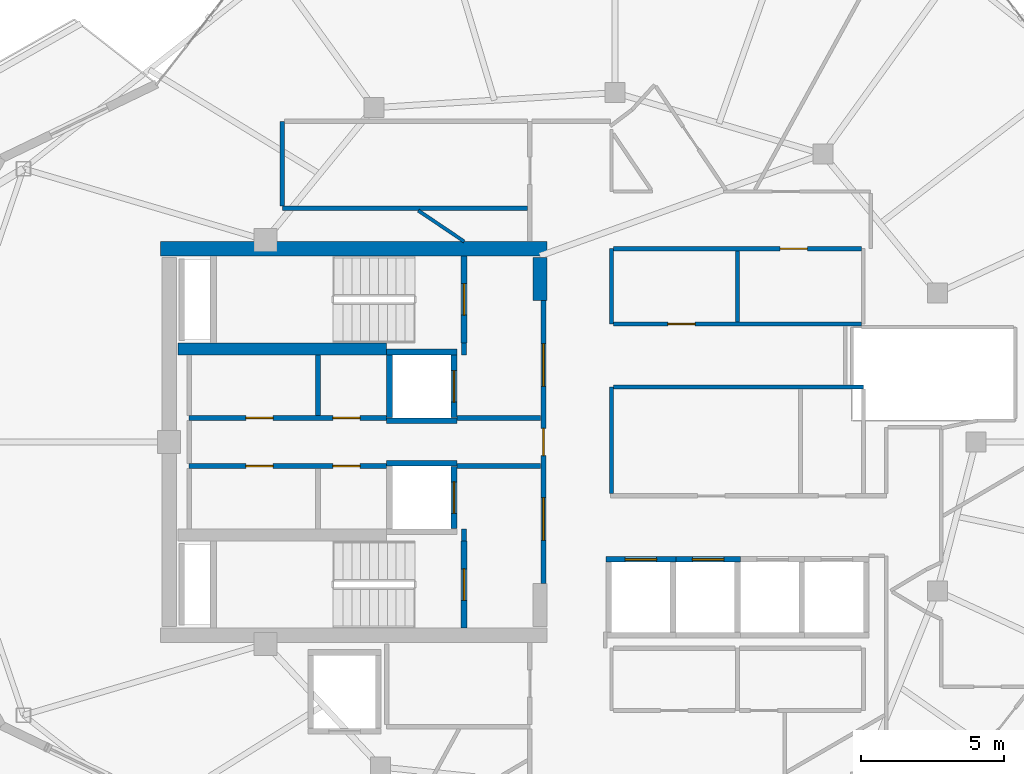
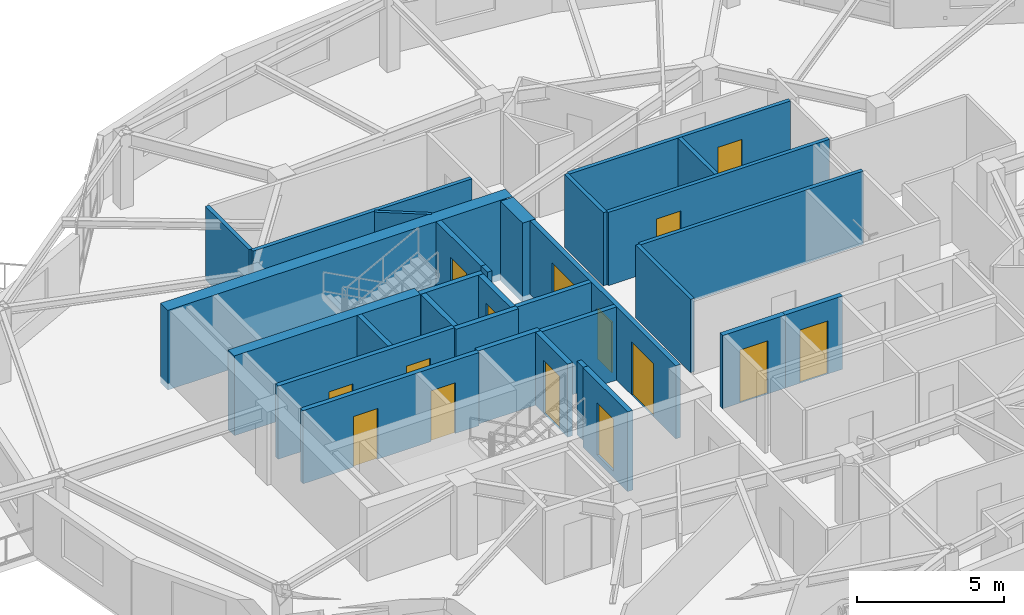
# One storey, part 6 of 12: 30 walls, 15 doors, 15 openings.
"""IFC4 building model written with IfcOpenShell, lengths in metres."""

import ifcopenshell
import ifcopenshell.guid

model = None  # the IFC model being written
_history = None  # IfcOwnerHistory: only IFC2X3 demands one
_inside = {}  # id of a spatial element -> (the spatial element, [elements in it])
_under = {}  # id of a project, library or spatial element -> (it, [spatial elements below it])
_declared = {}  # id of a project -> (the project, [libraries it declares])
_typed = {}  # id of a type object -> (the type object, [elements of that type])
_made_of = {}  # id of a material, layer set ... -> (it, [elements and type objects made of it])


def new_model(schema):
    """Start an empty IFC model of exactly this schema.

    Asked for "IFC4X3", IfcOpenShell would pick the latest addendum, in which some entities
    have other attributes; the version numbers below select the first issue.
    IFC2X3 requires an IfcOwnerHistory on every rooted entity: one is made here for all.
    """
    global model, _history
    if schema == "IFC4X3":
        model = ifcopenshell.file(schema_version=(4, 3, 0, 0))
    else:
        model = ifcopenshell.file(schema=schema)
    _inside.clear()
    _under.clear()
    _declared.clear()
    _typed.clear()
    _made_of.clear()
    _history = None
    if model.schema == "IFC2X3":
        org = make("IfcOrganization", Name="unknown")
        user = make(
            "IfcPersonAndOrganization",
            ThePerson=make("IfcPerson", FamilyName="unknown"),
            TheOrganization=org,
        )
        app = make(
            "IfcApplication",
            ApplicationDeveloper=org,
            Version="unknown",
            ApplicationFullName="unknown",
            ApplicationIdentifier="unknown",
        )
        _history = make(
            "IfcOwnerHistory",
            OwningUser=user,
            OwningApplication=app,
            ChangeAction="ADDED",
            CreationDate=0,
        )
    return model


def make(cls, **values):
    """One entity of the class cls with the attributes given. An attribute that is None is left unset."""
    return model.create_entity(
        cls, **{name: value for name, value in values.items() if value is not None}
    )


def rooted(cls, **values):
    """An entity with a GlobalId (a new one), such as an element, a storey or a relation."""
    return make(cls, GlobalId=ifcopenshell.guid.new(), OwnerHistory=_history, **values)


def si_unit(unit_type, name, prefix=None):
    """IfcSIUnit, for example si_unit("LENGTHUNIT", "METRE", prefix="MILLI")."""
    return make("IfcSIUnit", UnitType=unit_type, Prefix=prefix, Name=name)


def assignment(units):
    """IfcUnitAssignment: the units of a project."""
    return None if units is None else make("IfcUnitAssignment", Units=units)


def point(xyz):
    """IfcCartesianPoint."""
    return None if xyz is None else make("IfcCartesianPoint", Coordinates=xyz)


def direction(xyz):
    """IfcDirection."""
    return None if xyz is None else make("IfcDirection", DirectionRatios=xyz)


def frame(location, z_axis=None, x_axis=None):
    """IfcAxis2Placement3D, a coordinate frame: its origin and axes. An axis left out is left unset."""
    return make(
        "IfcAxis2Placement3D",
        Location=point(location),
        Axis=direction(z_axis),
        RefDirection=direction(x_axis),
    )


def frame_2d(location, x_axis=None):
    """IfcAxis2Placement2D, a coordinate frame in the plane: its origin and x axis."""
    return make(
        "IfcAxis2Placement2D", Location=point(location), RefDirection=direction(x_axis)
    )


def origin():
    """The frame at (0, 0, 0) with its axes left unset."""
    return frame((0.0, 0.0, 0.0))


def place(relative_to, where):
    """IfcLocalPlacement: puts the frame where relative to a parent placement (None: the world)."""
    return make(
        "IfcLocalPlacement", PlacementRelTo=relative_to, RelativePlacement=where
    )


def context(
    kind, dimensions, precision=None, world=None, true_north=None, identifier=None
):
    """IfcGeometricRepresentationContext, for example the 3D "Model" context."""
    return make(
        "IfcGeometricRepresentationContext",
        ContextIdentifier=identifier,
        ContextType=kind,
        CoordinateSpaceDimension=dimensions,
        Precision=precision,
        WorldCoordinateSystem=world,
        TrueNorth=true_north,
    )


def subcontext(parent, identifier, kind, view, scale=None):
    """IfcGeometricRepresentationSubContext, for example "Body" below "Model"."""
    return make(
        "IfcGeometricRepresentationSubContext",
        ContextIdentifier=identifier,
        ContextType=kind,
        ParentContext=parent,
        TargetScale=scale,
        TargetView=view,
    )


def project(units=None, contexts=None):
    """IfcProject with its units and contexts."""
    return rooted(
        "IfcProject",
        Name="project",
        RepresentationContexts=contexts,
        UnitsInContext=assignment(units),
    )


def spatial(cls, under=None, at=None, **own):
    """A site, building, storey or space (cls), placed at a placement, below another one or the project."""
    s = rooted(cls, ObjectPlacement=at, **own)
    if under is not None:
        _under.setdefault(under.id(), (under, []))[1].append(s)
    return s


def profile(cls, at=None, kind="AREA", **sizes):
    """A parametric profile (cls). Its sizes go by their IFC names, for example OverallWidth=200.0."""
    return make(cls, ProfileType=kind, Position=at, **sizes)


def rectangle(**sizes):
    """IfcRectangleProfileDef."""
    return profile("IfcRectangleProfileDef", **sizes)


def extrude(swept, where, along, depth):
    """IfcExtrudedAreaSolid: the profile swept, set in the frame where, extruded along a direction by depth."""
    return make(
        "IfcExtrudedAreaSolid",
        SweptArea=swept,
        Position=where,
        ExtrudedDirection=direction(along),
        Depth=depth,
    )


def shape(context_of_items, identifier, shape_type, items):
    """IfcShapeRepresentation: the items that make up one representation, for example the "Body"."""
    return make(
        "IfcShapeRepresentation",
        ContextOfItems=context_of_items,
        RepresentationIdentifier=identifier,
        RepresentationType=shape_type,
        Items=items,
    )


def material(Name=None, Category=None):
    """IfcMaterial."""
    return make("IfcMaterial", Name=Name, Category=Category)


def layer(
    of_material, thickness, ventilated=None, Name=None, Category=None, Priority=None
):
    """IfcMaterialLayer: one layer of a wall or slab, of a material (None: an air gap)."""
    return make(
        "IfcMaterialLayer",
        Material=of_material,
        LayerThickness=thickness,
        IsVentilated=ventilated,
        Name=Name,
        Category=Category,
        Priority=Priority,
    )


def layer_set(layers, Name=None):
    """IfcMaterialLayerSet."""
    return make("IfcMaterialLayerSet", MaterialLayers=layers, LayerSetName=Name)


def made_of(thing, what):
    """Note that an element or type object is made of a material, layer set ...; save() writes the relation."""
    if what is not None:
        _made_of.setdefault(what.id(), (what, []))[1].append(thing)
    return thing


def type_object(cls, material=None, **own):
    """A type object (cls), such as IfcWallType, which elements share."""
    return made_of(rooted(cls, **own), material)


def element(
    cls,
    number,
    at=None,
    inside=None,
    cuts=None,
    type_object=None,
    material=None,
    context=None,
    identifier="Body",
    shape_type=None,
    held_by="IfcProductDefinitionShape",
    body=None,
    shapes=None,
    **own,
):
    """One element of the class cls, such as IfcWall. Its Tag is "e" and its number.

    at: its placement. inside: the storey or other place that contains it. cuts: it is an
    opening in that element (IfcRelVoidsElement). A single representation is given by context,
    identifier, shape_type and body (its items); several are given by shapes. held_by: the class
    of the entity that holds the representations. save() writes the other relations.
    """
    e = rooted(cls, Tag="e%d" % number, ObjectPlacement=at, **own)
    if body is not None:
        shapes = [shape(context, identifier, shape_type, body)]
    if shapes is not None:
        e.Representation = make(held_by, Representations=shapes)
    if inside is not None:
        _inside.setdefault(inside.id(), (inside, []))[1].append(e)
    if cuts is not None:
        rooted(
            "IfcRelVoidsElement", RelatingBuildingElement=cuts, RelatedOpeningElement=e
        )
    if type_object is not None:
        _typed.setdefault(type_object.id(), (type_object, []))[1].append(e)
    return made_of(e, material)


def fill(opening, filler):
    """IfcRelFillsElement: the door or window that sits in an opening."""
    return rooted(
        "IfcRelFillsElement",
        RelatingOpeningElement=opening,
        RelatedBuildingElement=filler,
    )


def aggregate(whole, parts):
    """IfcRelAggregates: a whole, such as a stair, and the parts it consists of."""
    return rooted("IfcRelAggregates", RelatingObject=whole, RelatedObjects=parts)


def save(model, path):
    """Write the relations noted so far, then the file.

    IfcRelAggregates (storeys below a building ...), IfcRelContainedInSpatialStructure (elements
    in a storey), IfcRelDefinesByType, IfcRelAssociatesMaterial and IfcRelDeclares: one each for
    every whole, place, type object, material and project.
    """
    for whole, parts in _under.values():
        aggregate(whole, parts)
    for where, things in _inside.values():
        rooted(
            "IfcRelContainedInSpatialStructure",
            RelatedElements=things,
            RelatingStructure=where,
        )
    for kind, things in _typed.values():
        rooted("IfcRelDefinesByType", RelatedObjects=things, RelatingType=kind)
    for what, things in _made_of.values():
        rooted("IfcRelAssociatesMaterial", RelatedObjects=things, RelatingMaterial=what)
    for by, libraries in _declared.values():
        rooted("IfcRelDeclares", RelatingContext=by, RelatedDefinitions=libraries)
    model.write(path)


model = new_model("IFC4")

# Units and contexts
model_context = context("Model", 3, precision=1e-05, world=origin(), true_north=direction((0.0, 1.0)))
body_context = subcontext(model_context, "Body", "Model", "MODEL_VIEW")
ifc_project = project(units=[si_unit("LENGTHUNIT", "METRE"), si_unit("AREAUNIT", "SQUARE_METRE"), si_unit("VOLUMEUNIT", "CUBIC_METRE"), si_unit("PLANEANGLEUNIT", "RADIAN"), si_unit("MASSUNIT", "GRAM", prefix="KILO")], contexts=[model_context])

# Site, building, storey
site_placement = place(None, origin())
site = spatial("IfcSite", under=ifc_project, at=site_placement, CompositionType="ELEMENT")
building_placement = place(site_placement, origin())
building = spatial("IfcBuilding", under=site, at=building_placement, Name="Kolvaren Gate Tower and Convention Centre", CompositionType="ELEMENT")
storey_placement = place(building_placement, frame((0.0, 0.0, 199.699951171875)))
storey = spatial("IfcBuildingStorey", under=building, at=storey_placement, Name="L52", CompositionType="ELEMENT", Elevation=199.699951171875)

# Walls
ifc_material_1 = material(Name="Autoclaved Aerated Masonry Blockwork Class 4 (4.0 MPa)", Category="masonry")
ifc_layer_1 = layer(ifc_material_1, 0.179931640625)
ifc_layer_set_1 = layer_set([ifc_layer_1], Name="Autoclaved Aerated Masonry Blockwork Class 4 (4.0 MPa)")
wall_type_1 = type_object("IfcWallType", Name="ARCH-WL-COMP-180", PredefinedType="SOLIDWALL", material=ifc_layer_set_1)
for number, where, z_axis, x_axis, name in (
    (1, (24.85009765625, 23.5400390625, 0.0), (0.0, 0.0, 1.0), (0.0, 1.0, 0.0), "Interior Partition WL-L52-INT-001"),
    (2, (24.85009765625, 30.0400390625, 0.0), (0.0, 0.0, 1.0), (0.0, 1.0, 0.0), "Interior Partition WL-L52-INT-002"),
):
    element("IfcWall", number, at=place(storey_placement, frame(where, z_axis=z_axis, x_axis=x_axis)), inside=storey, type_object=wall_type_1, Name=name, PredefinedType="SOLIDWALL", context=body_context, shape_type="SweptSolid", body=[
        extrude(rectangle(XDim=0.419921875, YDim=0.179931640625, at=frame_2d((0.2099609375, 0.0))), origin(), (0.0, 0.0, 1.0), 3.030029296875),
    ])

# Wall, openings, doors
wall_1_placement = place(storey_placement, frame((27.6201171875, 22.050048828125, 0.0), z_axis=(0.0, 0.0, 1.0), x_axis=(0.0, 1.0, 0.0)))
wall_1 = element("IfcWall", 3, at=wall_1_placement, inside=storey, type_object=wall_type_1, Name="Interior Partition WL-L52-INT-003", PredefinedType="SOLIDWALL", context=body_context, shape_type="SweptSolid", body=[
    extrude(rectangle(XDim=9.89990234375, YDim=0.179931640625, at=frame_2d((4.949951171875, 0.0))), origin(), (0.0, 0.0, 1.0), 3.030029296875),
])
opening_1_placement = place(wall_1_placement, frame((4.47509765625, 0.0, 0.0)))
opening_1 = element("IfcOpeningElement", 4, at=opening_1_placement, cuts=wall_1, Name="Opening DR-01", PredefinedType="OPENING", context=body_context, shape_type="SweptSolid", body=[
    extrude(rectangle(XDim=0.949951171875, YDim=2.10009765625, at=frame_2d((0.47509765625, 1.050048828125))), frame((0.0, 0.099853515625, 0.0), z_axis=(0.0, -1.0, 0.0), x_axis=(1.0, 0.0, 0.0)), (0.0, 0.0, 1.0), 0.199951171875),
])
opening_2_placement = place(wall_1_placement, frame((6.889892578125, 0.0, 0.0)))
opening_2 = element("IfcOpeningElement", 5, at=opening_2_placement, cuts=wall_1, Name="Opening DL-01", PredefinedType="OPENING", context=body_context, shape_type="SweptSolid", body=[
    extrude(rectangle(XDim=1.5, YDim=2.199951171875, at=frame_2d((0.75, 1.10009765625))), frame((0.0, 0.099853515625, 0.0), z_axis=(0.0, -1.0, 0.0), x_axis=(1.0, 0.0, 0.0)), (0.0, 0.0, 1.0), 0.199951171875),
])
opening_3_placement = place(wall_1_placement, frame((1.510009765625, 0.0, 0.0)))
opening_3 = element("IfcOpeningElement", 6, at=opening_3_placement, cuts=wall_1, Name="Opening DL-01", PredefinedType="OPENING", context=body_context, shape_type="SweptSolid", body=[
    extrude(rectangle(XDim=1.5, YDim=2.199951171875, at=frame_2d((0.75, 1.10009765625))), frame((0.0, 0.099853515625, 0.0), z_axis=(0.0, -1.0, 0.0), x_axis=(1.0, 0.0, 0.0)), (0.0, 0.0, 1.0), 0.199951171875),
])
ifc_material_2 = material(Name="Painted Architectural Steelwork ASTM A500 Grade C 345 MPa", Category="steel")
door_type_1 = type_object("IfcDoorType", Name="ARCH-DR-LOBBY-1500", OperationType="DOUBLE_DOOR_SINGLE_SWING", PredefinedType="DOOR", material=ifc_material_2)
door_1_placement = place(opening_2_placement, origin())
door_1 = element("IfcDoor", 7, at=door_1_placement, inside=storey, type_object=door_type_1, Name="North Firefighting Stair and Lift Lobby Door", OperationType="DOUBLE_DOOR_SINGLE_SWING", OverallHeight=2.199951171875, OverallWidth=1.5, PredefinedType="DOOR", context=body_context, shape_type="SweptSolid", body=[
    extrude(rectangle(XDim=1.5, YDim=2.199951171875, at=frame_2d((0.75, 1.10009765625))), frame((0.0, 0.02490234375, 0.0), z_axis=(0.0, -1.0, 0.0), x_axis=(1.0, 0.0, 0.0)), (0.0, 0.0, 1.0), 0.050048828125),
])
fill(opening_2, door_1)
door_2_placement = place(opening_3_placement, origin())
door_2 = element("IfcDoor", 8, at=door_2_placement, inside=storey, type_object=door_type_1, Name="South Firefighting Stair and Lift Lobby Door", OperationType="DOUBLE_DOOR_SINGLE_SWING", OverallHeight=2.199951171875, OverallWidth=1.5, PredefinedType="DOOR", context=body_context, shape_type="SweptSolid", body=[
    extrude(rectangle(XDim=1.5, YDim=2.199951171875, at=frame_2d((0.75, 1.10009765625))), frame((0.0, 0.02490234375, 0.0), z_axis=(0.0, -1.0, 0.0), x_axis=(1.0, 0.0, 0.0)), (0.0, 0.0, 1.0), 0.050048828125),
])
fill(opening_3, door_2)
door_type_2 = type_object("IfcDoorType", Name="ARCH-DR-RISER-950", OperationType="SINGLE_SWING_RIGHT", PredefinedType="DOOR", material=ifc_material_2)
door_3_placement = place(opening_1_placement, origin())
door_3 = element("IfcDoor", 9, at=door_3_placement, inside=storey, type_object=door_type_2, Name="Central MEP Service Corridor Door", OperationType="SINGLE_SWING_RIGHT", OverallHeight=2.10009765625, OverallWidth=0.949951171875, PredefinedType="DOOR", context=body_context, shape_type="SweptSolid", body=[
    extrude(rectangle(XDim=0.949951171875, YDim=2.10009765625, at=frame_2d((0.47509765625, 1.050048828125))), frame((0.0, 0.02490234375, 0.0), z_axis=(0.0, -1.0, 0.0), x_axis=(1.0, 0.0, 0.0)), (0.0, 0.0, 1.0), 0.050048828125),
])
fill(opening_1, door_3)

wall_2_placement = place(storey_placement, frame((15.25, 27.840087890625, 0.0), z_axis=(0.0, 0.0, 1.0), x_axis=(1.0, 0.0, 0.0)))
wall_2 = element("IfcWall", 10, at=wall_2_placement, inside=storey, type_object=wall_type_1, Name="Interior Partition WL-L52-INT-004", PredefinedType="SOLIDWALL", context=body_context, shape_type="SweptSolid", body=[
    extrude(rectangle(XDim=6.89990234375, YDim=0.179931640625, at=frame_2d((3.449951171875, 0.0))), origin(), (0.0, 0.0, 1.0), 3.030029296875),
])
opening_4_placement = place(wall_2_placement, frame((5.02001953125, 0.0, 0.0)))
opening_4 = element("IfcOpeningElement", 11, at=opening_4_placement, cuts=wall_2, Name="Opening DR-01", PredefinedType="OPENING", context=body_context, shape_type="SweptSolid", body=[
    extrude(rectangle(XDim=0.949951171875, YDim=2.10009765625, at=frame_2d((0.47509765625, 1.050048828125))), frame((0.0, 0.099853515625, 0.0), z_axis=(0.0, -1.0, 0.0), x_axis=(1.0, 0.0, 0.0)), (0.0, 0.0, 1.0), 0.199951171875),
])
opening_5_placement = place(wall_2_placement, frame((1.97998046875, 0.0, 0.0)))
opening_5 = element("IfcOpeningElement", 12, at=opening_5_placement, cuts=wall_2, Name="Opening DR-01", PredefinedType="OPENING", context=body_context, shape_type="SweptSolid", body=[
    extrude(rectangle(XDim=0.949951171875, YDim=2.10009765625, at=frame_2d((0.47509765625, 1.050048828125))), frame((0.0, 0.099853515625, 0.0), z_axis=(0.0, -1.0, 0.0), x_axis=(1.0, 0.0, 0.0)), (0.0, 0.0, 1.0), 0.199951171875),
])
door_4_placement = place(opening_4_placement, origin())
door_4 = element("IfcDoor", 13, at=door_4_placement, inside=storey, type_object=door_type_2, Name="Electrical Switchgear Closet Door", OperationType="SINGLE_SWING_LEFT", OverallHeight=2.10009765625, OverallWidth=0.949951171875, PredefinedType="DOOR", context=body_context, shape_type="SweptSolid", body=[
    extrude(rectangle(XDim=0.949951171875, YDim=2.10009765625, at=frame_2d((0.47509765625, 1.050048828125))), frame((0.0, 0.02490234375, 0.0), z_axis=(0.0, -1.0, 0.0), x_axis=(1.0, 0.0, 0.0)), (0.0, 0.0, 1.0), 0.050048828125),
])
fill(opening_4, door_4)
door_5_placement = place(opening_5_placement, origin())
door_5 = element("IfcDoor", 14, at=door_5_placement, inside=storey, type_object=door_type_2, Name="Staff Powder Washroom Door", OperationType="SINGLE_SWING_LEFT", OverallHeight=2.10009765625, OverallWidth=0.949951171875, PredefinedType="DOOR", context=body_context, shape_type="SweptSolid", body=[
    extrude(rectangle(XDim=0.949951171875, YDim=2.10009765625, at=frame_2d((0.47509765625, 1.050048828125))), frame((0.0, 0.02490234375, 0.0), z_axis=(0.0, -1.0, 0.0), x_axis=(1.0, 0.0, 0.0)), (0.0, 0.0, 1.0), 0.050048828125),
])
fill(opening_5, door_5)

# Wall
wall_3_placement = place(storey_placement, frame((24.60009765625, 27.840087890625, 0.0), z_axis=(0.0, 0.0, 1.0), x_axis=(1.0, 0.0, 0.0)))
element("IfcWall", 15, at=wall_3_placement, inside=storey, type_object=wall_type_1, Name="Interior Partition WL-L52-INT-004 (2)", PredefinedType="SOLIDWALL", context=body_context, shape_type="SweptSolid", body=[
    extrude(rectangle(XDim=2.927978515625, YDim=0.179931640625, at=frame_2d((1.4638671875, 0.0))), origin(), (0.0, 0.0, 1.0), 3.030029296875),
])

# Wall, openings, doors
wall_4_placement = place(storey_placement, frame((15.25, 26.159912109375, 0.0), z_axis=(0.0, 0.0, 1.0), x_axis=(1.0, 0.0, 0.0)))
wall_4 = element("IfcWall", 16, at=wall_4_placement, inside=storey, type_object=wall_type_1, Name="Interior Partition WL-L52-INT-005", PredefinedType="SOLIDWALL", context=body_context, shape_type="SweptSolid", body=[
    extrude(rectangle(XDim=6.89990234375, YDim=0.179931640625, at=frame_2d((3.449951171875, 0.0))), origin(), (0.0, 0.0, 1.0), 3.030029296875),
])
opening_6_placement = place(wall_4_placement, frame((5.02001953125, 0.0, 0.0)))
opening_6 = element("IfcOpeningElement", 17, at=opening_6_placement, cuts=wall_4, Name="Opening DR-01", PredefinedType="OPENING", context=body_context, shape_type="SweptSolid", body=[
    extrude(rectangle(XDim=0.949951171875, YDim=2.10009765625, at=frame_2d((0.47509765625, 1.050048828125))), frame((0.0, 0.099853515625, 0.0), z_axis=(0.0, -1.0, 0.0), x_axis=(1.0, 0.0, 0.0)), (0.0, 0.0, 1.0), 0.199951171875),
])
opening_7_placement = place(wall_4_placement, frame((1.97998046875, 0.0, 0.0)))
opening_7 = element("IfcOpeningElement", 18, at=opening_7_placement, cuts=wall_4, Name="Opening DR-01", PredefinedType="OPENING", context=body_context, shape_type="SweptSolid", body=[
    extrude(rectangle(XDim=0.949951171875, YDim=2.10009765625, at=frame_2d((0.47509765625, 1.050048828125))), frame((0.0, 0.099853515625, 0.0), z_axis=(0.0, -1.0, 0.0), x_axis=(1.0, 0.0, 0.0)), (0.0, 0.0, 1.0), 0.199951171875),
])
door_6_placement = place(opening_6_placement, origin())
door_6 = element("IfcDoor", 19, at=door_6_placement, inside=storey, type_object=door_type_2, Name="Domestic Water Meter Closet Door", OperationType="SINGLE_SWING_RIGHT", OverallHeight=2.10009765625, OverallWidth=0.949951171875, PredefinedType="DOOR", context=body_context, shape_type="SweptSolid", body=[
    extrude(rectangle(XDim=0.949951171875, YDim=2.10009765625, at=frame_2d((0.47509765625, 1.050048828125))), frame((0.0, 0.02490234375, 0.0), z_axis=(0.0, -1.0, 0.0), x_axis=(1.0, 0.0, 0.0)), (0.0, 0.0, 1.0), 0.050048828125),
])
fill(opening_6, door_6)
door_7_placement = place(opening_7_placement, origin())
door_7 = element("IfcDoor", 20, at=door_7_placement, inside=storey, type_object=door_type_2, Name="Janitor Equipment Store Door", OperationType="SINGLE_SWING_RIGHT", OverallHeight=2.10009765625, OverallWidth=0.949951171875, PredefinedType="DOOR", context=body_context, shape_type="SweptSolid", body=[
    extrude(rectangle(XDim=0.949951171875, YDim=2.10009765625, at=frame_2d((0.47509765625, 1.050048828125))), frame((0.0, 0.02490234375, 0.0), z_axis=(0.0, -1.0, 0.0), x_axis=(1.0, 0.0, 0.0)), (0.0, 0.0, 1.0), 0.050048828125),
])
fill(opening_7, door_7)

# Walls
wall_5_placement = place(storey_placement, frame((24.60009765625, 26.159912109375, 0.0), z_axis=(0.0, 0.0, 1.0), x_axis=(1.0, 0.0, 0.0)))
element("IfcWall", 21, at=wall_5_placement, inside=storey, type_object=wall_type_1, Name="Interior Partition WL-L52-INT-005 (2)", PredefinedType="SOLIDWALL", context=body_context, shape_type="SweptSolid", body=[
    extrude(rectangle(XDim=2.927978515625, YDim=0.179931640625, at=frame_2d((1.4638671875, 0.0))), origin(), (0.0, 0.0, 1.0), 3.030029296875),
])
wall_6_placement = place(storey_placement, frame((19.75, 27.931884765625, 0.0), z_axis=(0.0, 0.0, 1.0), x_axis=(0.0, 1.0, 0.0)))
element("IfcWall", 22, at=wall_6_placement, inside=storey, type_object=wall_type_1, Name="Interior Partition WL-L52-INT-008", PredefinedType="SOLIDWALL", context=body_context, shape_type="SweptSolid", body=[
    extrude(rectangle(XDim=2.106201171875, YDim=0.179931640625, at=frame_2d((1.05322265625, 0.0))), origin(), (0.0, 0.0, 1.0), 3.030029296875),
])
ifc_material_3 = material(Name="Fire-Rated Acoustic Gypsum Stud Partition", Category="gypsum")
ifc_layer_2 = layer(ifc_material_3, 0.1201171875)
ifc_layer_set_2 = layer_set([ifc_layer_2], Name="Fire-Rated Acoustic Gypsum Stud Partition")
wall_type_2 = type_object("IfcWallType", Name="ARCH-WL-PART-120", PredefinedType="PARTITIONING", material=ifc_layer_set_2)
wall_7_placement = place(storey_placement, frame((23.253173828125, 35.0830078125, 0.0), z_axis=(0.0, 0.0, 1.0), x_axis=(0.8290462611, -0.559180021957, 0.0)))
element("IfcWall", 23, at=wall_7_placement, inside=storey, type_object=wall_type_2, Name="Interior Partition WL-L52-INT-082", PredefinedType="PARTITIONING", context=body_context, shape_type="SweptSolid", body=[
    extrude(rectangle(XDim=1.933349609375, YDim=0.1201171875, at=frame_2d((0.966796875, 0.0))), origin(), (0.0, 0.0, 1.0), 3.030029296875),
])
ifc_layer_3 = layer(ifc_material_1, 0.199951171875)
ifc_layer_set_3 = layer_set([ifc_layer_3], Name="Autoclaved Aerated Masonry Blockwork Class 4 (4.0 MPa)")
wall_type_3 = type_object("IfcWallType", Name="ARCH-WL-SHAFT-200", PredefinedType="SOLIDWALL", material=ifc_layer_set_3)
for number, where, z_axis, x_axis, name in (
    (24, (22.14990234375, 30.139892578125, 0.0), (0.0, 0.0, 1.0), (1.0, 0.0, 0.0), "Elevator FF-01 L52 Fire Shaft Wall N"),
    (25, (22.14990234375, 27.739990234375, 0.0), (0.0, 0.0, 1.0), (1.0, 0.0, 0.0), "Elevator FF-01 L52 Fire Shaft Wall S"),
):
    element("IfcWall", number, at=place(storey_placement, frame(where, z_axis=z_axis, x_axis=x_axis)), inside=storey, type_object=wall_type_3, Name=name, PredefinedType="SOLIDWALL", context=body_context, shape_type="SweptSolid", body=[
        extrude(rectangle(XDim=2.4501953125, YDim=0.199951171875, at=frame_2d((1.22509765625, 0.0))), origin(), (0.0, 0.0, 1.0), 3.030029296875),
    ])
wall_8_placement = place(storey_placement, frame((22.25, 27.85009765625, 0.0), z_axis=(0.0, 0.0, 1.0), x_axis=(0.0, 1.0, 0.0)))
element("IfcWall", 26, at=wall_8_placement, inside=storey, type_object=wall_type_3, Name="Elevator FF-01 L52 Fire Shaft Wall W", PredefinedType="SOLIDWALL", context=body_context, shape_type="SweptSolid", body=[
    extrude(rectangle(XDim=2.179931640625, YDim=0.199951171875, at=frame_2d((1.08984375, 0.0))), origin(), (0.0, 0.0, 1.0), 3.030029296875),
])

# Wall, opening, door
wall_9_placement = place(storey_placement, frame((24.5, 27.85009765625, 0.0), z_axis=(0.0, 0.0, 1.0), x_axis=(0.0, 1.0, 0.0)))
wall_9 = element("IfcWall", 27, at=wall_9_placement, inside=storey, type_object=wall_type_3, Name="Elevator FF-01 L52 Fire Shaft Wall E", PredefinedType="SOLIDWALL", context=body_context, shape_type="SweptSolid", body=[
    extrude(rectangle(XDim=2.179931640625, YDim=0.199951171875, at=frame_2d((1.08984375, 0.0))), origin(), (0.0, 0.0, 1.0), 3.030029296875),
])
opening_8_placement = place(wall_9_placement, frame((0.5400390625, 0.0, 0.0)))
opening_8 = element("IfcOpeningElement", 28, at=opening_8_placement, cuts=wall_9, Name="Opening LD", PredefinedType="OPENING", context=body_context, shape_type="SweptSolid", body=[
    extrude(rectangle(XDim=1.10009765625, YDim=2.199951171875, at=frame_2d((0.550048828125, 1.10009765625))), frame((0.0, 0.10986328125, 0.0), z_axis=(0.0, -1.0, 0.0), x_axis=(1.0, 0.0, 0.0)), (0.0, 0.0, 1.0), 0.219970703125),
])
ifc_material_4 = material(Name="Brushed Stainless Steel Grade 316L", Category="steel")
door_type_3 = type_object("IfcDoorType", Name="ARCH-DR-LIFT-1100", OperationType="SLIDING_TO_LEFT", PredefinedType="DOOR", material=ifc_material_4)
door_8_placement = place(opening_8_placement, origin())
door_8 = element("IfcDoor", 29, at=door_8_placement, inside=storey, type_object=door_type_3, Name="Elevator FF-01 L52 Sliding Landing Door", OperationType="SLIDING_TO_LEFT", OverallHeight=2.199951171875, OverallWidth=1.10009765625, PredefinedType="DOOR", context=body_context, shape_type="SweptSolid", body=[
    extrude(rectangle(XDim=1.10009765625, YDim=2.199951171875, at=frame_2d((0.550048828125, 1.10009765625))), frame((0.0, 0.02490234375, 0.0), z_axis=(0.0, -1.0, 0.0), x_axis=(1.0, 0.0, 0.0)), (0.0, 0.0, 1.0), 0.050048828125),
])
fill(opening_8, door_8)

# Wall
wall_10_placement = place(storey_placement, frame((22.14990234375, 26.260009765625, 0.0), z_axis=(0.0, 0.0, 1.0), x_axis=(1.0, 0.0, 0.0)))
element("IfcWall", 30, at=wall_10_placement, inside=storey, type_object=wall_type_3, Name="Elevator FF-02 L52 Fire Shaft Wall N", PredefinedType="SOLIDWALL", context=body_context, shape_type="SweptSolid", body=[
    extrude(rectangle(XDim=2.4501953125, YDim=0.199951171875, at=frame_2d((1.22509765625, 0.0))), origin(), (0.0, 0.0, 1.0), 3.030029296875),
])

# Wall, opening, door
wall_11_placement = place(storey_placement, frame((24.5, 23.969970703125, 0.0), z_axis=(0.0, 0.0, 1.0), x_axis=(0.0, 1.0, 0.0)))
wall_11 = element("IfcWall", 31, at=wall_11_placement, inside=storey, type_object=wall_type_3, Name="Elevator FF-02 L52 Fire Shaft Wall E", PredefinedType="SOLIDWALL", context=body_context, shape_type="SweptSolid", body=[
    extrude(rectangle(XDim=2.179931640625, YDim=0.199951171875, at=frame_2d((1.08984375, 0.0))), origin(), (0.0, 0.0, 1.0), 3.030029296875),
])
opening_9_placement = place(wall_11_placement, frame((0.5400390625, 0.0, 0.0)))
opening_9 = element("IfcOpeningElement", 32, at=opening_9_placement, cuts=wall_11, Name="Opening LD", PredefinedType="OPENING", context=body_context, shape_type="SweptSolid", body=[
    extrude(rectangle(XDim=1.10009765625, YDim=2.199951171875, at=frame_2d((0.550048828125, 1.10009765625))), frame((0.0, 0.10986328125, 0.0), z_axis=(0.0, -1.0, 0.0), x_axis=(1.0, 0.0, 0.0)), (0.0, 0.0, 1.0), 0.219970703125),
])
door_9_placement = place(opening_9_placement, origin())
door_9 = element("IfcDoor", 33, at=door_9_placement, inside=storey, type_object=door_type_3, Name="Elevator FF-02 L52 Sliding Landing Door", OperationType="SLIDING_TO_LEFT", OverallHeight=2.199951171875, OverallWidth=1.10009765625, PredefinedType="DOOR", context=body_context, shape_type="SweptSolid", body=[
    extrude(rectangle(XDim=1.10009765625, YDim=2.199951171875, at=frame_2d((0.550048828125, 1.10009765625))), frame((0.0, 0.02490234375, 0.0), z_axis=(0.0, -1.0, 0.0), x_axis=(1.0, 0.0, 0.0)), (0.0, 0.0, 1.0), 0.050048828125),
])
fill(opening_9, door_9)

wall_12_placement = place(storey_placement, frame((29.800048828125, 22.89990234375, 0.0), z_axis=(0.0, 0.0, 1.0), x_axis=(1.0, 0.0, 0.0)))
wall_12 = element("IfcWall", 34, at=wall_12_placement, inside=storey, type_object=wall_type_3, Name="Elevator PL-09 L52 Fire Shaft Wall N", PredefinedType="SOLIDWALL", context=body_context, shape_type="SweptSolid", body=[
    extrude(rectangle(XDim=2.449951171875, YDim=0.199951171875, at=frame_2d((1.22509765625, 0.0))), origin(), (0.0, 0.0, 1.0), 3.030029296875),
])
opening_10_placement = place(wall_12_placement, frame((0.675048828125, 0.0, 0.0)))
opening_10 = element("IfcOpeningElement", 35, at=opening_10_placement, cuts=wall_12, Name="Opening LD", PredefinedType="OPENING", context=body_context, shape_type="SweptSolid", body=[
    extrude(rectangle(XDim=1.10009765625, YDim=2.199951171875, at=frame_2d((0.550048828125, 1.10009765625))), frame((0.0, 0.10986328125, 0.0), z_axis=(0.0, -1.0, 0.0), x_axis=(1.0, 0.0, 0.0)), (0.0, 0.0, 1.0), 0.219970703125),
])
door_10_placement = place(opening_10_placement, origin())
door_10 = element("IfcDoor", 36, at=door_10_placement, inside=storey, type_object=door_type_3, Name="Elevator PL-09 L52 Sliding Landing Door", OperationType="SLIDING_TO_LEFT", OverallHeight=2.199951171875, OverallWidth=1.10009765625, PredefinedType="DOOR", context=body_context, shape_type="SweptSolid", body=[
    extrude(rectangle(XDim=1.10009765625, YDim=2.199951171875, at=frame_2d((0.550048828125, 1.10009765625))), frame((0.0, 0.02490234375, 0.0), z_axis=(0.0, -1.0, 0.0), x_axis=(1.0, 0.0, 0.0)), (0.0, 0.0, 1.0), 0.050048828125),
])
fill(opening_10, door_10)

wall_13_placement = place(storey_placement, frame((32.25, 22.89990234375, 0.0), z_axis=(0.0, 0.0, 1.0), x_axis=(1.0, 0.0, 0.0)))
wall_13 = element("IfcWall", 37, at=wall_13_placement, inside=storey, type_object=wall_type_3, Name="Elevator PL-10 L52 Fire Shaft Wall N", PredefinedType="SOLIDWALL", context=body_context, shape_type="SweptSolid", body=[
    extrude(rectangle(XDim=2.25, YDim=0.199951171875, at=frame_2d((1.125, 0.0))), origin(), (0.0, 0.0, 1.0), 3.030029296875),
])
opening_11_placement = place(wall_13_placement, frame((0.574951171875, 0.0, 0.0)))
opening_11 = element("IfcOpeningElement", 38, at=opening_11_placement, cuts=wall_13, Name="Opening LD", PredefinedType="OPENING", context=body_context, shape_type="SweptSolid", body=[
    extrude(rectangle(XDim=1.10009765625, YDim=2.199951171875, at=frame_2d((0.550048828125, 1.10009765625))), frame((0.0, 0.10986328125, 0.0), z_axis=(0.0, -1.0, 0.0), x_axis=(1.0, 0.0, 0.0)), (0.0, 0.0, 1.0), 0.219970703125),
])
door_11_placement = place(opening_11_placement, origin())
door_11 = element("IfcDoor", 39, at=door_11_placement, inside=storey, type_object=door_type_3, Name="Elevator PL-10 L52 Sliding Landing Door", OperationType="SLIDING_TO_LEFT", OverallHeight=2.199951171875, OverallWidth=1.10009765625, PredefinedType="DOOR", context=body_context, shape_type="SweptSolid", body=[
    extrude(rectangle(XDim=1.10009765625, YDim=2.199951171875, at=frame_2d((0.550048828125, 1.10009765625))), frame((0.0, 0.02490234375, 0.0), z_axis=(0.0, -1.0, 0.0), x_axis=(1.0, 0.0, 0.0)), (0.0, 0.0, 1.0), 0.050048828125),
])
fill(opening_11, door_11)

# Walls
ifc_material_5 = material(Name="Moisture-Resistant Cement-Board Acoustic Partition", Category="gypsum")
ifc_layer_4 = layer(ifc_material_5, 0.14990234375)
ifc_layer_set_4 = layer_set([ifc_layer_4], Name="Moisture-Resistant Cement-Board Acoustic Partition")
wall_type_4 = type_object("IfcWallType", Name="ARCH-WL-WET-150", PredefinedType="PARTITIONING", material=ifc_layer_set_4)
wall_14_placement = place(storey_placement, frame((30.0, 25.197021484375, 0.0), z_axis=(0.0, 0.0, 1.0), x_axis=(0.0, 1.0, 0.0)))
element("IfcWall", 40, at=wall_14_placement, inside=storey, type_object=wall_type_4, Name="Interior Partition WL-L52-INT-015", PredefinedType="PARTITIONING", context=body_context, shape_type="SweptSolid", body=[
    extrude(rectangle(XDim=3.722900390625, YDim=0.14990234375, at=frame_2d((1.861328125, 0.0))), origin(), (0.0, 0.0, 1.0), 3.030029296875),
])
wall_15_placement = place(storey_placement, frame((30.0, 31.1201171875, 0.0), z_axis=(0.0, 0.0, 1.0), x_axis=(0.0, 1.0, 0.0)))
element("IfcWall", 41, at=wall_15_placement, inside=storey, type_object=wall_type_4, Name="Interior Partition WL-L52-INT-016", PredefinedType="PARTITIONING", context=body_context, shape_type="SweptSolid", body=[
    extrude(rectangle(XDim=2.6298828125, YDim=0.14990234375, at=frame_2d((1.31494140625, 0.0))), origin(), (0.0, 0.0, 1.0), 3.030029296875),
])
wall_16_placement = place(storey_placement, frame((30.076904296875, 28.919921875, 0.0), z_axis=(0.0, 0.0, 1.0), x_axis=(1.0, 0.0, 0.0)))
element("IfcWall", 42, at=wall_16_placement, inside=storey, type_object=wall_type_4, Name="Interior Partition WL-L52-INT-018", PredefinedType="PARTITIONING", context=body_context, shape_type="SweptSolid", body=[
    extrude(rectangle(XDim=8.72314453125, YDim=0.14990234375, at=frame_2d((4.361572265625, 0.0))), origin(), (0.0, 0.0, 1.0), 3.030029296875),
])

# Wall, opening, door
wall_17_placement = place(storey_placement, frame((30.076904296875, 31.1201171875, 0.0), z_axis=(0.0, 0.0, 1.0), x_axis=(1.0, 0.0, 0.0)))
wall_17 = element("IfcWall", 43, at=wall_17_placement, inside=storey, type_object=wall_type_4, Name="Interior Partition WL-L52-INT-023", PredefinedType="PARTITIONING", context=body_context, shape_type="SweptSolid", body=[
    extrude(rectangle(XDim=8.6611328125, YDim=0.14990234375, at=frame_2d((4.33056640625, 0.0))), origin(), (0.0, 0.0, 1.0), 3.030029296875),
])
opening_12_placement = place(wall_17_placement, frame((1.8916015625, 0.0, 0.0)))
opening_12 = element("IfcOpeningElement", 44, at=opening_12_placement, cuts=wall_17, Name="Opening DR-01", PredefinedType="OPENING", context=body_context, shape_type="SweptSolid", body=[
    extrude(rectangle(XDim=0.949951171875, YDim=2.10009765625, at=frame_2d((0.47509765625, 1.050048828125))), frame((0.0, 0.0849609375, 0.0), z_axis=(0.0, -1.0, 0.0), x_axis=(1.0, 0.0, 0.0)), (0.0, 0.0, 1.0), 0.169921875),
])
door_12_placement = place(opening_12_placement, origin())
door_12 = element("IfcDoor", 45, at=door_12_placement, inside=storey, type_object=door_type_2, Name="Valet and Linen Store Door", OperationType="SINGLE_SWING_RIGHT", OverallHeight=2.10009765625, OverallWidth=0.949951171875, PredefinedType="DOOR", context=body_context, shape_type="SweptSolid", body=[
    extrude(rectangle(XDim=0.949951171875, YDim=2.10009765625, at=frame_2d((0.47509765625, 1.050048828125))), frame((0.0, 0.02490234375, 0.0), z_axis=(0.0, -1.0, 0.0), x_axis=(1.0, 0.0, 0.0)), (0.0, 0.0, 1.0), 0.050048828125),
])
fill(opening_12, door_12)

wall_18_placement = place(storey_placement, frame((30.076904296875, 33.75, 0.0), z_axis=(0.0, 0.0, 1.0), x_axis=(1.0, 0.0, 0.0)))
wall_18 = element("IfcWall", 46, at=wall_18_placement, inside=storey, type_object=wall_type_4, Name="Interior Partition WL-L52-INT-024", PredefinedType="PARTITIONING", context=body_context, shape_type="SweptSolid", body=[
    extrude(rectangle(XDim=8.6611328125, YDim=0.14990234375, at=frame_2d((4.33056640625, 0.0))), origin(), (0.0, 0.0, 1.0), 3.030029296875),
])
opening_13_placement = place(wall_18_placement, frame((5.81201171875, 0.0, 0.0)))
opening_13 = element("IfcOpeningElement", 47, at=opening_13_placement, cuts=wall_18, Name="Opening DR-01", PredefinedType="OPENING", context=body_context, shape_type="SweptSolid", body=[
    extrude(rectangle(XDim=0.949951171875, YDim=2.10009765625, at=frame_2d((0.47509765625, 1.050048828125))), frame((0.0, 0.0849609375, 0.0), z_axis=(0.0, -1.0, 0.0), x_axis=(1.0, 0.0, 0.0)), (0.0, 0.0, 1.0), 0.169921875),
])
door_13_placement = place(opening_13_placement, origin())
door_13 = element("IfcDoor", 48, at=door_13_placement, inside=storey, type_object=door_type_2, Name="Ice and Beverage Pantry Door", OperationType="SINGLE_SWING_LEFT", OverallHeight=2.10009765625, OverallWidth=0.949951171875, PredefinedType="DOOR", context=body_context, shape_type="SweptSolid", body=[
    extrude(rectangle(XDim=0.949951171875, YDim=2.10009765625, at=frame_2d((0.47509765625, 1.050048828125))), frame((0.0, 0.02490234375, 0.0), z_axis=(0.0, -1.0, 0.0), x_axis=(1.0, 0.0, 0.0)), (0.0, 0.0, 1.0), 0.050048828125),
])
fill(opening_13, door_13)

# Walls
wall_19_placement = place(storey_placement, frame((34.39990234375, 31.197021484375, 0.0), z_axis=(0.0, 0.0, 1.0), x_axis=(0.0, 1.0, 0.0)))
element("IfcWall", 49, at=wall_19_placement, inside=storey, type_object=wall_type_4, Name="Interior Partition WL-L52-INT-026", PredefinedType="PARTITIONING", context=body_context, shape_type="SweptSolid", body=[
    extrude(rectangle(XDim=2.47607421875, YDim=0.14990234375, at=frame_2d((1.238037109375, 0.0))), origin(), (0.0, 0.0, 1.0), 3.030029296875),
])
wall_20_placement = place(storey_placement, frame((18.5, 35.159912109375, 0.0), z_axis=(0.0, 0.0, 1.0), x_axis=(1.0, 0.0, 0.0)))
element("IfcWall", 50, at=wall_20_placement, inside=storey, type_object=wall_type_4, Name="Interior Partition WL-L52-INT-029", PredefinedType="PARTITIONING", context=body_context, shape_type="SweptSolid", body=[
    extrude(rectangle(XDim=8.572998046875, YDim=0.14990234375, at=frame_2d((4.28662109375, 0.0))), origin(), (0.0, 0.0, 1.0), 3.030029296875),
])
wall_21_placement = place(storey_placement, frame((18.5, 35.237060546875, 0.0), z_axis=(0.0, 0.0, 1.0), x_axis=(0.0, 1.0, 0.0)))
element("IfcWall", 51, at=wall_21_placement, inside=storey, type_object=wall_type_4, Name="Interior Partition WL-L52-INT-030", PredefinedType="PARTITIONING", context=body_context, shape_type="SweptSolid", body=[
    extrude(rectangle(XDim=2.962890625, YDim=0.14990234375, at=frame_2d((1.4814453125, 0.0))), origin(), (0.0, 0.0, 1.0), 3.030029296875),
])
ifc_material_6 = material(Name="Concrete C50/60", Category="concrete")
ifc_layer_5 = layer(ifc_material_6, 0.419921875)
ifc_layer_set_5 = layer_set([ifc_layer_5], Name="Concrete C50/60")
wall_type_5 = type_object("IfcWallType", Name="STR-WL-CONV-420", PredefinedType="SHEAR", material=ifc_layer_set_5)
wall_22_placement = place(storey_placement, frame((14.85009765625, 30.25, -0.27001953125), z_axis=(0.0, 0.0, 1.0), x_axis=(1.0, 0.0, 0.0)))
element("IfcWall", 52, at=wall_22_placement, inside=storey, type_object=wall_type_5, Name="Tower L52 Offset Core Shear Wall WN", PredefinedType="SHEAR", context=body_context, shape_type="SweptSolid", body=[
    extrude(rectangle(XDim=7.2998046875, YDim=0.419921875, at=frame_2d((3.64990234375, 0.0))), origin(), (0.0, 0.0, 1.0), 3.300048828125),
])
ifc_layer_6 = layer(ifc_material_6, 0.5)
ifc_layer_set_6 = layer_set([ifc_layer_6], Name="Concrete C50/60")
wall_type_6 = type_object("IfcWallType", Name="STR-WL-CORE-500", PredefinedType="SHEAR", material=ifc_layer_set_6)
wall_23_placement = place(storey_placement, frame((14.25, 33.75, -0.27001953125), z_axis=(0.0, 0.0, 1.0), x_axis=(1.0, 0.0, 0.0)))
element("IfcWall", 53, at=wall_23_placement, inside=storey, type_object=wall_type_6, Name="Tower L52 Offset Core Shear Wall N", PredefinedType="SHEAR", context=body_context, shape_type="SweptSolid", body=[
    extrude(rectangle(XDim=13.5, YDim=0.5, at=frame_2d((6.75, 0.0))), origin(), (0.0, 0.0, 1.0), 3.300048828125),
])
wall_24_placement = place(storey_placement, frame((27.5, 31.949951171875, -0.27001953125), z_axis=(0.0, 0.0, 1.0), x_axis=(0.0, 1.0, 0.0)))
element("IfcWall", 54, at=wall_24_placement, inside=storey, type_object=wall_type_6, Name="Tower L52 Offset Core Shear Wall EN", PredefinedType="SHEAR", context=body_context, shape_type="SweptSolid", body=[
    extrude(rectangle(XDim=1.5, YDim=0.5, at=frame_2d((0.75, 0.0))), origin(), (0.0, 0.0, 1.0), 3.300048828125),
])

# Wall, opening, door
ifc_layer_7 = layer(ifc_material_6, 0.199951171875)
ifc_layer_set_7 = layer_set([ifc_layer_7], Name="Concrete C50/60")
wall_type_7 = type_object("IfcWallType", Name="STR-WL-SHAFT-200", PredefinedType="SHEAR", material=ifc_layer_set_7)
wall_25_placement = place(storey_placement, frame((24.85009765625, 30.4599609375, -0.27001953125), z_axis=(0.0, 0.0, 1.0), x_axis=(0.0, 1.0, 0.0)))
wall_25 = element("IfcWall", 55, at=wall_25_placement, inside=storey, type_object=wall_type_7, Name="Tower North Exit Stair ST-T1 L52 Structural Shear Enclosure Wall NEAR", PredefinedType="SHEAR", context=body_context, shape_type="SweptSolid", body=[
    extrude(rectangle(XDim=3.0380859375, YDim=0.199951171875, at=frame_2d((1.51904296875, 0.0))), origin(), (0.0, 0.0, 1.0), 3.300048828125),
])
opening_14_placement = place(wall_25_placement, frame((0.968994140625, 0.0, 0.27001953125)))
opening_14 = element("IfcOpeningElement", 56, at=opening_14_placement, cuts=wall_25, Name="Opening DS-01", PredefinedType="OPENING", context=body_context, shape_type="SweptSolid", body=[
    extrude(rectangle(XDim=1.10009765625, YDim=2.14990234375, at=frame_2d((0.550048828125, 1.074951171875))), frame((0.0, 0.10986328125, 0.0), z_axis=(0.0, -1.0, 0.0), x_axis=(1.0, 0.0, 0.0)), (0.0, 0.0, 1.0), 0.219970703125),
])
door_type_4 = type_object("IfcDoorType", Name="ARCH-DR-STAIR-1100", OperationType="SINGLE_SWING_LEFT", PredefinedType="DOOR", material=ifc_material_2)
door_14_placement = place(opening_14_placement, origin())
door_14 = element("IfcDoor", 57, at=door_14_placement, inside=storey, type_object=door_type_4, Name="Tower North Exit Stair ST-T1 L52 Fire Exit Stair Door", OperationType="SINGLE_SWING_RIGHT", OverallHeight=2.14990234375, OverallWidth=1.10009765625, PredefinedType="DOOR", context=body_context, shape_type="SweptSolid", body=[
    extrude(rectangle(XDim=1.10009765625, YDim=2.14990234375, at=frame_2d((0.550048828125, 1.074951171875))), frame((0.0, 0.02490234375, 0.0), z_axis=(0.0, -1.0, 0.0), x_axis=(1.0, 0.0, 0.0)), (0.0, 0.0, 1.0), 0.050048828125),
])
fill(opening_14, door_14)

wall_26_placement = place(storey_placement, frame((24.85009765625, 20.501953125, -0.27001953125), z_axis=(0.0, 0.0, 1.0), x_axis=(0.0, 1.0, 0.0)))
wall_26 = element("IfcWall", 58, at=wall_26_placement, inside=storey, type_object=wall_type_7, Name="Tower South Exit Stair ST-T2 L52 Structural Shear Enclosure Wall NEAR", PredefinedType="SHEAR", context=body_context, shape_type="SweptSolid", body=[
    extrude(rectangle(XDim=3.0380859375, YDim=0.199951171875, at=frame_2d((1.51904296875, 0.0))), origin(), (0.0, 0.0, 1.0), 3.300048828125),
])
opening_15_placement = place(wall_26_placement, frame((0.968994140625, 0.0, 0.27001953125)))
opening_15 = element("IfcOpeningElement", 59, at=opening_15_placement, cuts=wall_26, Name="Opening DS-01", PredefinedType="OPENING", context=body_context, shape_type="SweptSolid", body=[
    extrude(rectangle(XDim=1.10009765625, YDim=2.14990234375, at=frame_2d((0.550048828125, 1.074951171875))), frame((0.0, 0.10986328125, 0.0), z_axis=(0.0, -1.0, 0.0), x_axis=(1.0, 0.0, 0.0)), (0.0, 0.0, 1.0), 0.219970703125),
])
door_15_placement = place(opening_15_placement, origin())
door_15 = element("IfcDoor", 60, at=door_15_placement, inside=storey, type_object=door_type_4, Name="Tower South Exit Stair ST-T2 L52 Fire Exit Stair Door", OperationType="SINGLE_SWING_RIGHT", OverallHeight=2.14990234375, OverallWidth=1.10009765625, PredefinedType="DOOR", context=body_context, shape_type="SweptSolid", body=[
    extrude(rectangle(XDim=1.10009765625, YDim=2.14990234375, at=frame_2d((0.550048828125, 1.074951171875))), frame((0.0, 0.02490234375, 0.0), z_axis=(0.0, -1.0, 0.0), x_axis=(1.0, 0.0, 0.0)), (0.0, 0.0, 1.0), 0.050048828125),
])
fill(opening_15, door_15)

save(model, "model.ifc")
